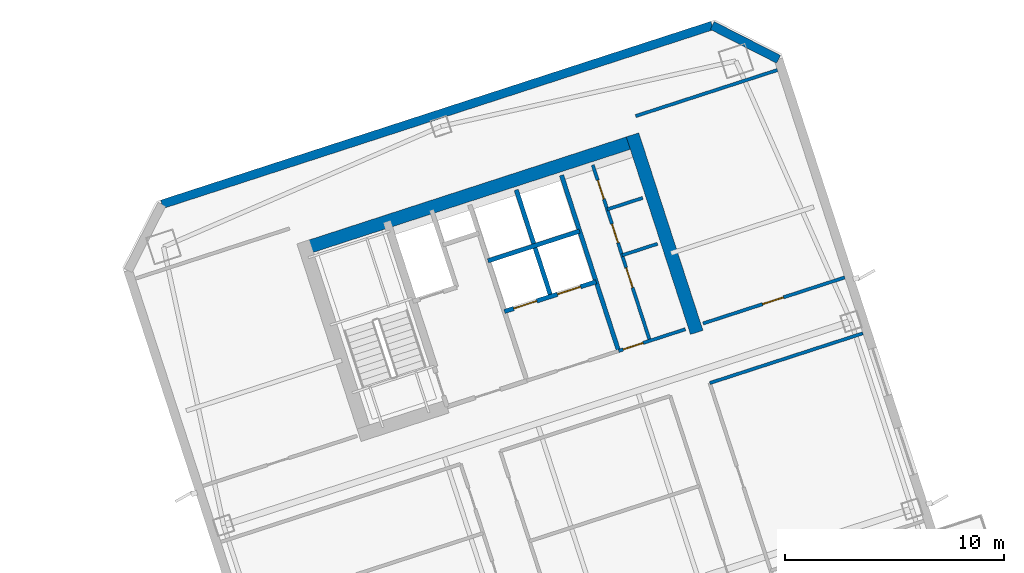
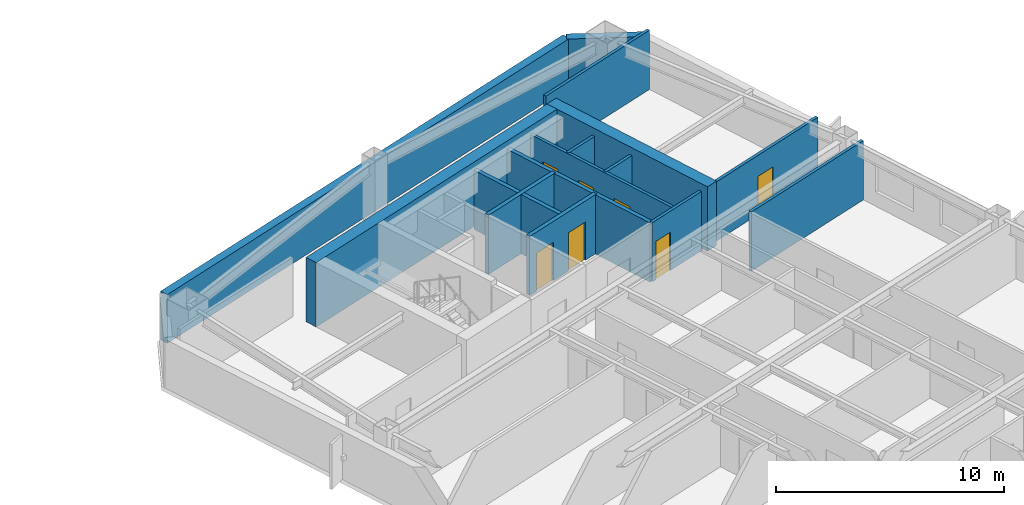
# One storey, part 11 of 18: 15 walls, 7 doors, 7 openings.
"""IFC4 building model written with IfcOpenShell, lengths in metres."""

from ifc_helpers import new_model, si_unit, direction, frame, frame_2d, origin, place, context, subcontext, project, spatial, rectangle, extrude, material, layer, layer_set, type_object, element, fill, save


model = new_model("IFC4")

# Units and contexts
model_context = context("Model", 3, precision=1e-05, world=origin(), true_north=direction((0.0, 1.0)))
body_context = subcontext(model_context, "Body", "Model", "MODEL_VIEW")
ifc_project = project(units=[si_unit("LENGTHUNIT", "METRE"), si_unit("AREAUNIT", "SQUARE_METRE"), si_unit("VOLUMEUNIT", "CUBIC_METRE"), si_unit("PLANEANGLEUNIT", "RADIAN"), si_unit("MASSUNIT", "GRAM", prefix="KILO")], contexts=[model_context])

# Site, building, storey
site_placement = place(None, origin())
site = spatial("IfcSite", under=ifc_project, at=site_placement, CompositionType="ELEMENT")
building_placement = place(site_placement, origin())
building = spatial("IfcBuilding", under=site, at=building_placement, Name="Qiaolan Cultural Towers", CompositionType="ELEMENT")
storey_placement = place(building_placement, frame((0.0, 0.0, 173.64990234375)))
storey = spatial("IfcBuildingStorey", under=building, at=storey_placement, Name="L46", CompositionType="ELEMENT", Elevation=173.64990234375)

# Walls
ifc_material_1 = material(Name="Concrete C55", Category="concrete")
ifc_layer_1 = layer(ifc_material_1, 0.60009765625)
ifc_layer_set_1 = layer_set([ifc_layer_1], Name="Concrete C55")
wall_type_1 = type_object("IfcWallType", Name="WL-CORE-600", PredefinedType="SHEAR", material=ifc_layer_set_1)
wall_1_placement = place(storey_placement, frame((76.343505859375, 50.4658203125, 0.0), z_axis=(0.0, 0.0, 1.0), x_axis=(0.951055727519, 0.309019421968, 0.0)))
element("IfcWall", 1, at=wall_1_placement, inside=storey, type_object=wall_type_1, Name="L46 T2-CN Outer Core Shear Wall", PredefinedType="SHEAR", context=body_context, shape_type="SweptSolid", body=[
    extrude(rectangle(XDim=16.39990234375, YDim=0.60009765625, at=frame_2d((8.199951171875, 0.0))), origin(), (0.0, 0.0, 1.0), 3.4501953125),
])
wall_2_placement = place(storey_placement, frame((94.4921875, 46.710205078125, 0.0), z_axis=(0.0, 0.0, 1.0), x_axis=(-0.309010370028, 0.95105866865, 0.0)))
element("IfcWall", 2, at=wall_2_placement, inside=storey, type_object=wall_type_1, Name="L46 T2-CN East Core Shear Wall", PredefinedType="SHEAR", context=body_context, shape_type="SweptSolid", body=[
    extrude(rectangle(XDim=9.47998046875, YDim=0.60009765625, at=frame_2d((4.739990234375, 0.0))), origin(), (0.0, 0.0, 1.0), 3.4501953125),
])
ifc_material_2 = material(Name="Precast Concrete C50 Honed Stone Pier", Category="masonry")
ifc_layer_2 = layer(ifc_material_2, 0.39990234375)
ifc_layer_set_2 = layer_set([ifc_layer_2], Name="Precast Concrete C50 Honed Stone Pier")
wall_type_2 = type_object("IfcWallType", Name="WL-EXT-PIER-400", PredefinedType="SOLIDWALL", material=ifc_layer_set_2)
wall_3_placement = place(storey_placement, frame((70.091552734375, 52.55615234375, 0.0), z_axis=(0.0, 0.0, 1.0), x_axis=(0.951057580055, 0.30901372044, 0.0)))
element("IfcWall", 3, at=wall_3_placement, inside=storey, type_object=wall_type_2, Name="L46 East Tower Precast Pier Facade Wall F3", PredefinedType="SOLIDWALL", context=body_context, shape_type="SweptSolid", body=[
    extrude(rectangle(XDim=26.39990234375, YDim=0.39990234375, at=frame_2d((13.199951171875, 0.0))), origin(), (0.0, 0.0, 1.0), 2.610107421875),
])
wall_4_placement = place(storey_placement, frame((95.199462890625, 60.714111328125, 0.0), z_axis=(0.0, 0.0, 1.0), x_axis=(0.891020832027, -0.453962417932, 0.0)))
element("IfcWall", 4, at=wall_4_placement, inside=storey, type_object=wall_type_2, Name="L46 East Tower Precast Pier Facade Wall F4", PredefinedType="SOLIDWALL", context=body_context, shape_type="SweptSolid", body=[
    extrude(rectangle(XDim=3.39404296875, YDim=0.39990234375, at=frame_2d((1.697021484375, 0.0))), origin(), (0.0, 0.0, 1.0), 2.610107421875),
])
ifc_material_3 = material(Name="Concrete C35 Fire Wall", Category="concrete")
ifc_layer_3 = layer(ifc_material_3, 0.199951171875)
ifc_layer_set_3 = layer_set([ifc_layer_3], Name="Concrete C35 Fire Wall")
wall_type_3 = type_object("IfcWallType", Name="WL-FIRE-200", PredefinedType="PARTITIONING", material=ifc_layer_set_3)
wall_5_placement = place(storey_placement, frame((90.92822265625, 45.86767578125, 0.0), z_axis=(0.0, 0.0, 1.0), x_axis=(-0.309042196757, 0.951048327176, 0.0)))
element("IfcWall", 5, at=wall_5_placement, inside=storey, type_object=wall_type_3, Name="L46 T2-CN Lift Core East Wall", PredefinedType="PARTITIONING", context=body_context, shape_type="SweptSolid", body=[
    extrude(rectangle(XDim=8.429931640625, YDim=0.199951171875, at=frame_2d((4.21484375, 0.0))), origin(), (0.0, 0.0, 1.0), 3.175048828125),
])

# Wall, openings, doors
wall_6_placement = place(storey_placement, frame((85.717529296875, 47.66552734375, 0.0), z_axis=(0.0, 0.0, 1.0), x_axis=(0.951058531764, 0.30901079133, 0.0)))
wall_6 = element("IfcWall", 6, at=wall_6_placement, inside=storey, type_object=wall_type_3, Name="L46 T2-CN Passenger Lift Shaft Front Wall", PredefinedType="PARTITIONING", context=body_context, shape_type="SweptSolid", body=[
    extrude(rectangle(XDim=4.39990234375, YDim=0.199951171875, at=frame_2d((2.199951171875, 0.0))), origin(), (0.0, 0.0, 1.0), 3.175048828125),
])
opening_1_placement = place(wall_6_placement, frame((0.449951171875, 0.0, 0.0)))
opening_1 = element("IfcOpeningElement", 7, at=opening_1_placement, cuts=wall_6, Name="Opening LD-01", PredefinedType="OPENING", context=body_context, shape_type="SweptSolid", body=[
    extrude(rectangle(XDim=1.10009765625, YDim=2.050048828125, at=frame_2d((0.550048828125, 1.02490234375))), frame((0.0, 0.10986328125, 0.0), z_axis=(0.0, -1.0, 0.0), x_axis=(1.0, 0.0, 0.0)), (0.0, 0.0, 1.0), 0.219970703125),
])
opening_2_placement = place(wall_6_placement, frame((2.550048828125, 0.0, 0.0)))
opening_2 = element("IfcOpeningElement", 8, at=opening_2_placement, cuts=wall_6, Name="Opening LD-01", PredefinedType="OPENING", context=body_context, shape_type="SweptSolid", body=[
    extrude(rectangle(XDim=1.10009765625, YDim=2.050048828125, at=frame_2d((0.550048828125, 1.02490234375))), frame((0.0, 0.10986328125, 0.0), z_axis=(0.0, -1.0, 0.0), x_axis=(1.0, 0.0, 0.0)), (0.0, 0.0, 1.0), 0.219970703125),
])
ifc_material_4 = material(Name="Brushed Stainless Steel S30408 Centre-Parting Lift Landing Door", Category="steel")
door_type_1 = type_object("IfcDoorType", Name="DR-LIFT-1100", OperationType="NOTDEFINED", PredefinedType="DOOR", material=ifc_material_4)
door_1_placement = place(opening_1_placement, origin())
door_1 = element("IfcDoor", 9, at=door_1_placement, inside=storey, type_object=door_type_1, Name="L46 Passenger Lift 1 Landing Door", OperationType="DOUBLE_DOOR_SLIDING", OverallHeight=2.050048828125, OverallWidth=1.10009765625, PredefinedType="DOOR", context=body_context, shape_type="SweptSolid", body=[
    extrude(rectangle(XDim=1.10009765625, YDim=2.050048828125, at=frame_2d((0.550048828125, 1.02490234375))), frame((0.0, 0.02490234375, 0.0), z_axis=(0.0, -1.0, 0.0), x_axis=(1.0, 0.0, 0.0)), (0.0, 0.0, 1.0), 0.050048828125),
])
fill(opening_1, door_1)
door_2_placement = place(opening_2_placement, origin())
door_2 = element("IfcDoor", 10, at=door_2_placement, inside=storey, type_object=door_type_1, Name="L46 Passenger Lift 2 Landing Door", OperationType="DOUBLE_DOOR_SLIDING", OverallHeight=2.050048828125, OverallWidth=1.10009765625, PredefinedType="DOOR", context=body_context, shape_type="SweptSolid", body=[
    extrude(rectangle(XDim=1.10009765625, YDim=2.050048828125, at=frame_2d((0.550048828125, 1.02490234375))), frame((0.0, 0.02490234375, 0.0), z_axis=(0.0, -1.0, 0.0), x_axis=(1.0, 0.0, 0.0)), (0.0, 0.0, 1.0), 0.050048828125),
])
fill(opening_2, door_2)

# Walls
wall_7_placement = place(storey_placement, frame((87.83837890625, 48.3544921875, 0.0), z_axis=(0.0, 0.0, 1.0), x_axis=(-0.3090093719, 0.951058992953, 0.0)))
element("IfcWall", 11, at=wall_7_placement, inside=storey, type_object=wall_type_3, Name="L46 T2-CN Lift Shaft Divider Wall", PredefinedType="PARTITIONING", context=body_context, shape_type="SweptSolid", body=[
    extrude(rectangle(XDim=5.110107421875, YDim=0.199951171875, at=frame_2d((2.55517578125, 0.0))), origin(), (0.0, 0.0, 1.0), 3.175048828125),
])
wall_8_placement = place(storey_placement, frame((84.966552734375, 49.9765625, 0.0), z_axis=(0.0, 0.0, 1.0), x_axis=(0.951063829732, 0.308994485023, 0.0)))
element("IfcWall", 12, at=wall_8_placement, inside=storey, type_object=wall_type_3, Name="L46 T2-CN Passenger Lift Shaft Back Wall", PredefinedType="PARTITIONING", context=body_context, shape_type="SweptSolid", body=[
    extrude(rectangle(XDim=4.400146484375, YDim=0.199951171875, at=frame_2d((2.2001953125, 0.0))), origin(), (0.0, 0.0, 1.0), 3.175048828125),
])

# Wall, opening, door
ifc_material_5 = material(Name="Autoclaved Aerated Concrete Block B06", Category="concrete")
ifc_layer_4 = layer(ifc_material_5, 0.14990234375)
ifc_layer_set_4 = layer_set([ifc_layer_4], Name="Autoclaved Aerated Concrete Block B06")
wall_type_4 = type_object("IfcWallType", Name="WL-PART-150", PredefinedType="PARTITIONING", material=ifc_layer_set_4)
wall_9_placement = place(storey_placement, frame((90.92822265625, 45.86767578125, 0.0), z_axis=(0.0, 0.0, 1.0), x_axis=(0.951059297078, 0.309008435874, 0.0)))
wall_9 = element("IfcWall", 13, at=wall_9_placement, inside=storey, type_object=wall_type_4, Name="L46 T2-CN Sanitary Core Front Wall", PredefinedType="PARTITIONING", context=body_context, shape_type="SweptSolid", body=[
    extrude(rectangle(XDim=3.19970703125, YDim=0.14990234375, at=frame_2d((1.599853515625, 0.0))), origin(), (0.0, 0.0, 1.0), 3.175048828125),
])
opening_3_placement = place(wall_9_placement, frame((0.219970703125, 0.0, 0.0)))
opening_3 = element("IfcOpeningElement", 14, at=opening_3_placement, cuts=wall_9, Name="Opening ID-05", PredefinedType="OPENING", context=body_context, shape_type="SweptSolid", body=[
    extrude(rectangle(XDim=0.949951171875, YDim=2.050048828125, at=frame_2d((0.47509765625, 1.02490234375))), frame((0.0, 0.0849609375, 0.0), z_axis=(0.0, -1.0, 0.0), x_axis=(1.0, 0.0, 0.0)), (0.0, 0.0, 1.0), 0.169921875),
])
ifc_material_6 = material(Name="Fire-Rated Laminate Accessible Core Door", Category="timber")
door_type_2 = type_object("IfcDoorType", Name="DR-INT-950", OperationType="NOTDEFINED", PredefinedType="DOOR", material=ifc_material_6)
door_3_placement = place(opening_3_placement, origin())
door_3 = element("IfcDoor", 15, at=door_3_placement, inside=storey, type_object=door_type_2, Name="L46 Sanitary Vestibule Door", OperationType="SINGLE_SWING_LEFT", OverallHeight=2.050048828125, OverallWidth=0.949951171875, PredefinedType="DOOR", context=body_context, shape_type="SweptSolid", body=[
    extrude(rectangle(XDim=0.949951171875, YDim=2.050048828125, at=frame_2d((0.47509765625, 1.02490234375))), frame((0.0, 0.02490234375, 0.0), z_axis=(0.0, -1.0, 0.0), x_axis=(1.0, 0.0, 0.0)), (0.0, 0.0, 1.0), 0.050048828125),
])
fill(opening_3, door_3)

# Wall, openings, doors
wall_10_placement = place(storey_placement, frame((92.354736328125, 46.3310546875, 0.0), z_axis=(0.0, 0.0, 1.0), x_axis=(-0.309007490203, 0.951059604335, 0.0)))
wall_10 = element("IfcWall", 16, at=wall_10_placement, inside=storey, type_object=wall_type_4, Name="L46 T2-CN Sanitary Vestibule Wall", PredefinedType="PARTITIONING", context=body_context, shape_type="SweptSolid", body=[
    extrude(rectangle(XDim=8.43017578125, YDim=0.14990234375, at=frame_2d((4.215087890625, 0.0))), origin(), (0.0, 0.0, 1.0), 3.175048828125),
])
opening_4_placement = place(wall_10_placement, frame((2.550048828125, 0.0, 0.0)))
opening_4 = element("IfcOpeningElement", 17, at=opening_4_placement, cuts=wall_10, Name="Opening ID-05", PredefinedType="OPENING", context=body_context, shape_type="SweptSolid", body=[
    extrude(rectangle(XDim=0.949951171875, YDim=2.050048828125, at=frame_2d((0.47509765625, 1.02490234375))), frame((0.0, 0.0849609375, 0.0), z_axis=(0.0, -1.0, 0.0), x_axis=(1.0, 0.0, 0.0)), (0.0, 0.0, 1.0), 0.169921875),
])
opening_5_placement = place(wall_10_placement, frame((4.699951171875, 0.0, 0.0)))
opening_5 = element("IfcOpeningElement", 18, at=opening_5_placement, cuts=wall_10, Name="Opening ID-06", PredefinedType="OPENING", context=body_context, shape_type="SweptSolid", body=[
    extrude(rectangle(XDim=0.89990234375, YDim=2.050048828125, at=frame_2d((0.449951171875, 1.02490234375))), frame((0.0, 0.0849609375, 0.0), z_axis=(0.0, -1.0, 0.0), x_axis=(1.0, 0.0, 0.0)), (0.0, 0.0, 1.0), 0.169921875),
])
opening_6_placement = place(wall_10_placement, frame((6.800048828125, 0.0, 0.0)))
opening_6 = element("IfcOpeningElement", 19, at=opening_6_placement, cuts=wall_10, Name="Opening ID-06", PredefinedType="OPENING", context=body_context, shape_type="SweptSolid", body=[
    extrude(rectangle(XDim=0.89990234375, YDim=2.050048828125, at=frame_2d((0.449951171875, 1.02490234375))), frame((0.0, 0.0849609375, 0.0), z_axis=(0.0, -1.0, 0.0), x_axis=(1.0, 0.0, 0.0)), (0.0, 0.0, 1.0), 0.169921875),
])
ifc_material_7 = material(Name="Fire-Rated Laminate Core Service Door", Category="timber")
door_type_3 = type_object("IfcDoorType", Name="DR-INT-900", OperationType="NOTDEFINED", PredefinedType="DOOR", material=ifc_material_7)
door_4_placement = place(opening_5_placement, origin())
door_4 = element("IfcDoor", 20, at=door_4_placement, inside=storey, type_object=door_type_3, Name="L46 Men Washroom Door", OperationType="SINGLE_SWING_LEFT", OverallHeight=2.050048828125, OverallWidth=0.89990234375, PredefinedType="DOOR", context=body_context, shape_type="SweptSolid", body=[
    extrude(rectangle(XDim=0.89990234375, YDim=2.050048828125, at=frame_2d((0.449951171875, 1.02490234375))), frame((0.0, 0.02490234375, 0.0), z_axis=(0.0, -1.0, 0.0), x_axis=(1.0, 0.0, 0.0)), (0.0, 0.0, 1.0), 0.050048828125),
])
fill(opening_5, door_4)
door_5_placement = place(opening_6_placement, origin())
door_5 = element("IfcDoor", 21, at=door_5_placement, inside=storey, type_object=door_type_3, Name="L46 Women Washroom Door", OperationType="SINGLE_SWING_RIGHT", OverallHeight=2.050048828125, OverallWidth=0.89990234375, PredefinedType="DOOR", context=body_context, shape_type="SweptSolid", body=[
    extrude(rectangle(XDim=0.89990234375, YDim=2.050048828125, at=frame_2d((0.449951171875, 1.02490234375))), frame((0.0, 0.02490234375, 0.0), z_axis=(0.0, -1.0, 0.0), x_axis=(1.0, 0.0, 0.0)), (0.0, 0.0, 1.0), 0.050048828125),
])
fill(opening_6, door_5)
door_6_placement = place(opening_4_placement, origin())
door_6 = element("IfcDoor", 22, at=door_6_placement, inside=storey, type_object=door_type_2, Name="L46 Accessible Family Washroom Door", OperationType="SINGLE_SWING_LEFT", OverallHeight=2.050048828125, OverallWidth=0.949951171875, PredefinedType="DOOR", context=body_context, shape_type="SweptSolid", body=[
    extrude(rectangle(XDim=0.949951171875, YDim=2.050048828125, at=frame_2d((0.47509765625, 1.02490234375))), frame((0.0, 0.02490234375, 0.0), z_axis=(0.0, -1.0, 0.0), x_axis=(1.0, 0.0, 0.0)), (0.0, 0.0, 1.0), 0.050048828125),
])
fill(opening_4, door_6)

# Walls
wall_11_placement = place(storey_placement, frame((91.087646484375, 50.23046875, 0.0), z_axis=(0.0, 0.0, 1.0), x_axis=(0.951054116971, 0.309024378638, 0.0)))
element("IfcWall", 23, at=wall_11_placement, inside=storey, type_object=wall_type_4, Name="L46 T2-CN Restroom Split Wall 1", PredefinedType="PARTITIONING", context=body_context, shape_type="SweptSolid", body=[
    extrude(rectangle(XDim=1.7001953125, YDim=0.14990234375, at=frame_2d((0.85009765625, 0.0))), origin(), (0.0, 0.0, 1.0), 3.175048828125),
])
wall_12_placement = place(storey_placement, frame((90.407958984375, 52.32275390625, 0.0), z_axis=(0.0, 0.0, 1.0), x_axis=(0.951040401051, 0.309066587596, 0.0)))
element("IfcWall", 24, at=wall_12_placement, inside=storey, type_object=wall_type_4, Name="L46 T2-CN Restroom Split Wall 2", PredefinedType="PARTITIONING", context=body_context, shape_type="SweptSolid", body=[
    extrude(rectangle(XDim=1.699951171875, YDim=0.14990234375, at=frame_2d((0.85009765625, 0.0))), origin(), (0.0, 0.0, 1.0), 3.175048828125),
])
wall_13_placement = place(storey_placement, frame((91.705078125, 56.582275390625, 0.0), z_axis=(0.0, 0.0, 1.0), x_axis=(0.951057811516, 0.309013008068, 0.0)))
element("IfcWall", 25, at=wall_13_placement, inside=storey, type_object=wall_type_4, Name="L46 T2 Flank Wall FLK-NE", PredefinedType="PARTITIONING", context=body_context, shape_type="SweptSolid", body=[
    extrude(rectangle(XDim=6.800048828125, YDim=0.14990234375, at=frame_2d((3.39990234375, 0.0))), origin(), (0.0, 0.0, 1.0), 3.175048828125),
])

# Wall, opening, door
wall_14_placement = place(storey_placement, frame((94.77978515625, 47.119140625, 0.0), z_axis=(0.0, 0.0, 1.0), x_axis=(0.951057811516, 0.309013008068, 0.0)))
wall_14 = element("IfcWall", 26, at=wall_14_placement, inside=storey, type_object=wall_type_4, Name="L46 T2 Flank Front FLK-NE", PredefinedType="PARTITIONING", context=body_context, shape_type="SweptSolid", body=[
    extrude(rectangle(XDim=6.800048828125, YDim=0.14990234375, at=frame_2d((3.39990234375, 0.0))), origin(), (0.0, 0.0, 1.0), 3.175048828125),
])
opening_7_placement = place(wall_14_placement, frame((2.85595703125, 0.0, 0.0)))
opening_7 = element("IfcOpeningElement", 27, at=opening_7_placement, cuts=wall_14, Name="Opening ID-04", PredefinedType="OPENING", context=body_context, shape_type="SweptSolid", body=[
    extrude(rectangle(XDim=1.0, YDim=2.050048828125, at=frame_2d((0.5, 1.02490234375))), frame((0.0, 0.0849609375, 0.0), z_axis=(0.0, -1.0, 0.0), x_axis=(1.0, 0.0, 0.0)), (0.0, 0.0, 1.0), 0.169921875),
])
ifc_material_8 = material(Name="Oak Veneer Acoustic Office Door", Category="timber")
door_type_4 = type_object("IfcDoorType", Name="DR-INT-1000", OperationType="NOTDEFINED", PredefinedType="DOOR", material=ifc_material_8)
door_7_placement = place(opening_7_placement, origin())
door_7 = element("IfcDoor", 28, at=door_7_placement, inside=storey, type_object=door_type_4, Name="L46 T2 Corner Studio Door", OperationType="SINGLE_SWING_LEFT", OverallHeight=2.050048828125, OverallWidth=1.0, PredefinedType="DOOR", context=body_context, shape_type="SweptSolid", body=[
    extrude(rectangle(XDim=1.0, YDim=2.050048828125, at=frame_2d((0.5, 1.02490234375))), frame((0.0, 0.02490234375, 0.0), z_axis=(0.0, -1.0, 0.0), x_axis=(1.0, 0.0, 0.0)), (0.0, 0.0, 1.0), 0.050048828125),
])
fill(opening_7, door_7)

# Wall
wall_15_placement = place(storey_placement, frame((95.0849609375, 44.400390625, 0.0), z_axis=(0.0, 0.0, 1.0), x_axis=(0.95105749975, 0.309013967595, 0.0)))
element("IfcWall", 29, at=wall_15_placement, inside=storey, type_object=wall_type_4, Name="L46 T2 Interior Wall", PredefinedType="PARTITIONING", context=body_context, shape_type="SweptSolid", body=[
    extrude(rectangle(XDim=7.349853515625, YDim=0.14990234375, at=frame_2d((3.6748046875, 0.0))), origin(), (0.0, 0.0, 1.0), 3.175048828125),
])

save(model, "model.ifc")
